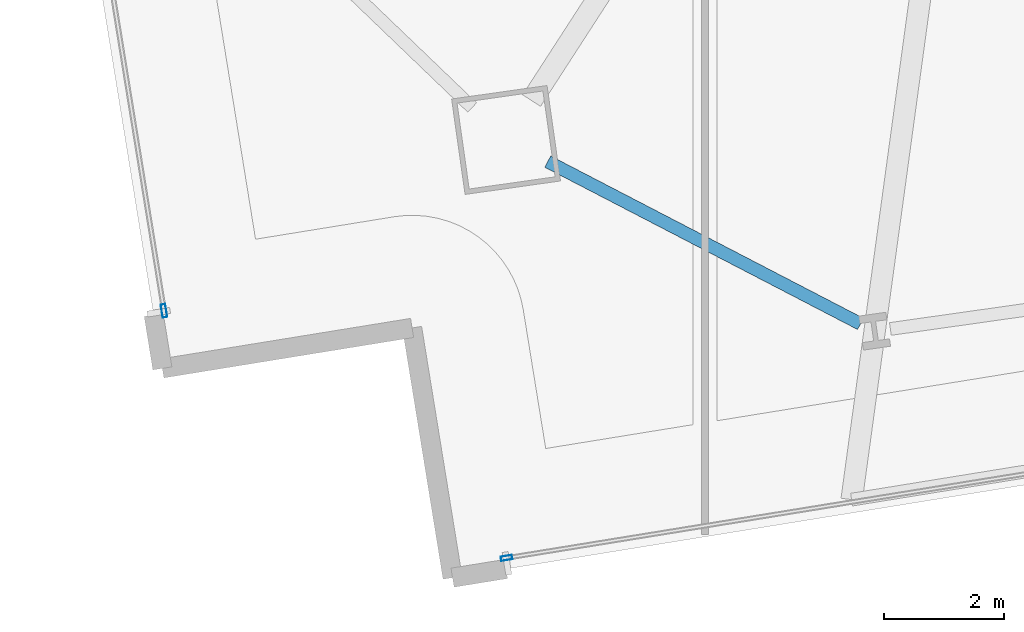
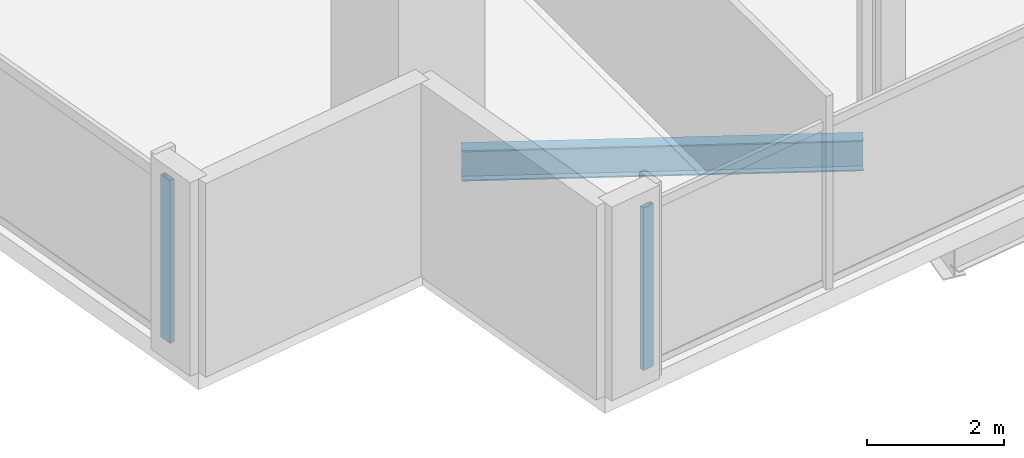
# One storey, part 2 of 33: 2 members, 1 beam, 2 elements without a shape of their own.
"""IFC4 building model written with IfcOpenShell, lengths in metres."""

import ifcopenshell
import ifcopenshell.guid

model = None  # the IFC model being written
_history = None  # IfcOwnerHistory: only IFC2X3 demands one
_inside = {}  # id of a spatial element -> (the spatial element, [elements in it])
_under = {}  # id of a project, library or spatial element -> (it, [spatial elements below it])
_declared = {}  # id of a project -> (the project, [libraries it declares])
_typed = {}  # id of a type object -> (the type object, [elements of that type])
_made_of = {}  # id of a material, layer set ... -> (it, [elements and type objects made of it])


def new_model(schema):
    """Start an empty IFC model of exactly this schema.

    Asked for "IFC4X3", IfcOpenShell would pick the latest addendum, in which some entities
    have other attributes; the version numbers below select the first issue.
    IFC2X3 requires an IfcOwnerHistory on every rooted entity: one is made here for all.
    """
    global model, _history
    if schema == "IFC4X3":
        model = ifcopenshell.file(schema_version=(4, 3, 0, 0))
    else:
        model = ifcopenshell.file(schema=schema)
    _inside.clear()
    _under.clear()
    _declared.clear()
    _typed.clear()
    _made_of.clear()
    _history = None
    if model.schema == "IFC2X3":
        org = make("IfcOrganization", Name="unknown")
        user = make(
            "IfcPersonAndOrganization",
            ThePerson=make("IfcPerson", FamilyName="unknown"),
            TheOrganization=org,
        )
        app = make(
            "IfcApplication",
            ApplicationDeveloper=org,
            Version="unknown",
            ApplicationFullName="unknown",
            ApplicationIdentifier="unknown",
        )
        _history = make(
            "IfcOwnerHistory",
            OwningUser=user,
            OwningApplication=app,
            ChangeAction="ADDED",
            CreationDate=0,
        )
    return model


def make(cls, **values):
    """One entity of the class cls with the attributes given. An attribute that is None is left unset."""
    return model.create_entity(
        cls, **{name: value for name, value in values.items() if value is not None}
    )


def rooted(cls, **values):
    """An entity with a GlobalId (a new one), such as an element, a storey or a relation."""
    return make(cls, GlobalId=ifcopenshell.guid.new(), OwnerHistory=_history, **values)


def si_unit(unit_type, name, prefix=None):
    """IfcSIUnit, for example si_unit("LENGTHUNIT", "METRE", prefix="MILLI")."""
    return make("IfcSIUnit", UnitType=unit_type, Prefix=prefix, Name=name)


def assignment(units):
    """IfcUnitAssignment: the units of a project."""
    return None if units is None else make("IfcUnitAssignment", Units=units)


def point(xyz):
    """IfcCartesianPoint."""
    return None if xyz is None else make("IfcCartesianPoint", Coordinates=xyz)


def direction(xyz):
    """IfcDirection."""
    return None if xyz is None else make("IfcDirection", DirectionRatios=xyz)


def frame(location, z_axis=None, x_axis=None):
    """IfcAxis2Placement3D, a coordinate frame: its origin and axes. An axis left out is left unset."""
    return make(
        "IfcAxis2Placement3D",
        Location=point(location),
        Axis=direction(z_axis),
        RefDirection=direction(x_axis),
    )


def frame_2d(location, x_axis=None):
    """IfcAxis2Placement2D, a coordinate frame in the plane: its origin and x axis."""
    return make(
        "IfcAxis2Placement2D", Location=point(location), RefDirection=direction(x_axis)
    )


def origin():
    """The frame at (0, 0, 0) with its axes left unset."""
    return frame((0.0, 0.0, 0.0))


def origin_2d():
    """The frame at (0, 0) in the plane with its x axis left unset."""
    return frame_2d((0.0, 0.0))


def place(relative_to, where):
    """IfcLocalPlacement: puts the frame where relative to a parent placement (None: the world)."""
    return make(
        "IfcLocalPlacement", PlacementRelTo=relative_to, RelativePlacement=where
    )


def context(
    kind, dimensions, precision=None, world=None, true_north=None, identifier=None
):
    """IfcGeometricRepresentationContext, for example the 3D "Model" context."""
    return make(
        "IfcGeometricRepresentationContext",
        ContextIdentifier=identifier,
        ContextType=kind,
        CoordinateSpaceDimension=dimensions,
        Precision=precision,
        WorldCoordinateSystem=world,
        TrueNorth=true_north,
    )


def subcontext(parent, identifier, kind, view, scale=None):
    """IfcGeometricRepresentationSubContext, for example "Body" below "Model"."""
    return make(
        "IfcGeometricRepresentationSubContext",
        ContextIdentifier=identifier,
        ContextType=kind,
        ParentContext=parent,
        TargetScale=scale,
        TargetView=view,
    )


def project(units=None, contexts=None):
    """IfcProject with its units and contexts."""
    return rooted(
        "IfcProject",
        Name="project",
        RepresentationContexts=contexts,
        UnitsInContext=assignment(units),
    )


def spatial(cls, under=None, at=None, **own):
    """A site, building, storey or space (cls), placed at a placement, below another one or the project."""
    s = rooted(cls, ObjectPlacement=at, **own)
    if under is not None:
        _under.setdefault(under.id(), (under, []))[1].append(s)
    return s


def profile(cls, at=None, kind="AREA", **sizes):
    """A parametric profile (cls). Its sizes go by their IFC names, for example OverallWidth=200.0."""
    return make(cls, ProfileType=kind, Position=at, **sizes)


def hollow_rectangle(**sizes):
    """IfcRectangleHollowProfileDef."""
    return profile("IfcRectangleHollowProfileDef", **sizes)


def i_section(**sizes):
    """IfcIShapeProfileDef."""
    return profile("IfcIShapeProfileDef", **sizes)


def extrude(swept, where, along, depth):
    """IfcExtrudedAreaSolid: the profile swept, set in the frame where, extruded along a direction by depth."""
    return make(
        "IfcExtrudedAreaSolid",
        SweptArea=swept,
        Position=where,
        ExtrudedDirection=direction(along),
        Depth=depth,
    )


def shape(context_of_items, identifier, shape_type, items):
    """IfcShapeRepresentation: the items that make up one representation, for example the "Body"."""
    return make(
        "IfcShapeRepresentation",
        ContextOfItems=context_of_items,
        RepresentationIdentifier=identifier,
        RepresentationType=shape_type,
        Items=items,
    )


def material(Name=None, Category=None):
    """IfcMaterial."""
    return make("IfcMaterial", Name=Name, Category=Category)


def material_profile(
    of_material, cross_section, Name=None, Category=None, Priority=None
):
    """IfcMaterialProfile: a cross section and its material."""
    return make(
        "IfcMaterialProfile",
        Name=Name,
        Material=of_material,
        Profile=cross_section,
        Priority=Priority,
        Category=Category,
    )


def profile_set(profiles, Name=None, composite=None):
    """IfcMaterialProfileSet."""
    return make(
        "IfcMaterialProfileSet",
        Name=Name,
        MaterialProfiles=profiles,
        CompositeProfile=composite,
    )


def made_of(thing, what):
    """Note that an element or type object is made of a material, layer set ...; save() writes the relation."""
    if what is not None:
        _made_of.setdefault(what.id(), (what, []))[1].append(thing)
    return thing


def type_object(cls, material=None, **own):
    """A type object (cls), such as IfcWallType, which elements share."""
    return made_of(rooted(cls, **own), material)


def element(
    cls,
    number,
    at=None,
    inside=None,
    cuts=None,
    type_object=None,
    material=None,
    context=None,
    identifier="Body",
    shape_type=None,
    held_by="IfcProductDefinitionShape",
    body=None,
    shapes=None,
    **own,
):
    """One element of the class cls, such as IfcWall. Its Tag is "e" and its number.

    at: its placement. inside: the storey or other place that contains it. cuts: it is an
    opening in that element (IfcRelVoidsElement). A single representation is given by context,
    identifier, shape_type and body (its items); several are given by shapes. held_by: the class
    of the entity that holds the representations. save() writes the other relations.
    """
    e = rooted(cls, Tag="e%d" % number, ObjectPlacement=at, **own)
    if body is not None:
        shapes = [shape(context, identifier, shape_type, body)]
    if shapes is not None:
        e.Representation = make(held_by, Representations=shapes)
    if inside is not None:
        _inside.setdefault(inside.id(), (inside, []))[1].append(e)
    if cuts is not None:
        rooted(
            "IfcRelVoidsElement", RelatingBuildingElement=cuts, RelatedOpeningElement=e
        )
    if type_object is not None:
        _typed.setdefault(type_object.id(), (type_object, []))[1].append(e)
    return made_of(e, material)


def aggregate(whole, parts):
    """IfcRelAggregates: a whole, such as a stair, and the parts it consists of."""
    return rooted("IfcRelAggregates", RelatingObject=whole, RelatedObjects=parts)


def save(model, path):
    """Write the relations noted so far, then the file.

    IfcRelAggregates (storeys below a building ...), IfcRelContainedInSpatialStructure (elements
    in a storey), IfcRelDefinesByType, IfcRelAssociatesMaterial and IfcRelDeclares: one each for
    every whole, place, type object, material and project.
    """
    for whole, parts in _under.values():
        aggregate(whole, parts)
    for where, things in _inside.values():
        rooted(
            "IfcRelContainedInSpatialStructure",
            RelatedElements=things,
            RelatingStructure=where,
        )
    for kind, things in _typed.values():
        rooted("IfcRelDefinesByType", RelatedObjects=things, RelatingType=kind)
    for what, things in _made_of.values():
        rooted("IfcRelAssociatesMaterial", RelatedObjects=things, RelatingMaterial=what)
    for by, libraries in _declared.values():
        rooted("IfcRelDeclares", RelatingContext=by, RelatedDefinitions=libraries)
    model.write(path)


model = new_model("IFC4")

# Units and contexts
model_context = context("Model", 3, precision=1e-05, world=origin(), true_north=direction((0.0, 1.0)))
body_context = subcontext(model_context, "Body", "Model", "MODEL_VIEW")
ifc_project = project(units=[si_unit("LENGTHUNIT", "METRE"), si_unit("AREAUNIT", "SQUARE_METRE"), si_unit("VOLUMEUNIT", "CUBIC_METRE"), si_unit("PLANEANGLEUNIT", "RADIAN"), si_unit("MASSUNIT", "GRAM", prefix="KILO")], contexts=[model_context])

# Site, building, storey
site_placement = place(None, origin())
site = spatial("IfcSite", under=ifc_project, at=site_placement, CompositionType="ELEMENT")
building_placement = place(site_placement, origin())
building = spatial("IfcBuilding", under=site, at=building_placement, Name="Haldenkirk Collegiate Tower", CompositionType="ELEMENT")
storey_placement = place(building_placement, frame((0.0, 0.0, 58.949951171875)))
storey = spatial("IfcBuildingStorey", under=building, at=storey_placement, Name="L13", CompositionType="ELEMENT", Elevation=58.949951171875)

# Beam
ifc_material_1 = material(Name="Steel ASTM A992 Grade 50", Category="steel")
ifc_material_profile_1 = material_profile(ifc_material_1, i_section(OverallWidth=0.2119140625, OverallDepth=0.5439453125, WebThickness=0.01318359375, FlangeThickness=0.021240234375, at=origin_2d()), Name="W21X83")
ifc_profile_set_1 = profile_set([ifc_material_profile_1], Name="Steel ASTM A992 Grade 50")
beam_type = type_object("IfcBeamType", Name="BM-SPANDREL-W21X83", PredefinedType="SPANDREL", material=ifc_profile_set_1)
beam_placement = place(storey_placement, frame((19.388671875, 4.8125, -0.58203125), z_axis=(0.887640153988, -0.460537682528, 0.0), x_axis=(0.460537682528, 0.887640153988, 0.0)))
element("IfcBeam", 1, at=beam_placement, inside=storey, type_object=beam_type, Name="L13 perimeter spandrel beam 01", PredefinedType="SPANDREL", context=body_context, shape_type="SweptSolid", body=[
    extrude(i_section(OverallWidth=0.2119140625, OverallDepth=0.5439453125, WebThickness=0.01318359375, FlangeThickness=0.021240234375, at=origin_2d()), origin(), (0.0, 0.0, 1.0), 5.848876953125),
])

# Curtain wall, member
ifc_material_2 = material(Name="Anodised architectural bronze aluminium", Category="aluminium")
curtain_wall_type_1 = type_object("IfcCurtainWallType", Name="CW-SYS2-CONCAVE", PredefinedType="USERDEFINED", material=ifc_material_2)
curtain_wall_1_placement = place(storey_placement, origin())
curtain_wall_1 = element("IfcCurtainWall", 2, at=curtain_wall_1_placement, inside=storey, type_object=curtain_wall_type_1, Name="L13 South concave recessed bronze-anodised curtain wall", ObjectType="UNITISED CURTAIN WALL", PredefinedType="USERDEFINED")
ifc_material_profile_2 = material_profile(ifc_material_2, hollow_rectangle(XDim=0.074951171875, YDim=0.18994140625, WallThickness=0.0048828125, at=origin_2d()), Name="CW-MUL-02")
ifc_profile_set_2 = profile_set([ifc_material_profile_2], Name="Anodised architectural bronze aluminium")
member_type_1 = type_object("IfcMemberType", Name="CW-MUL-02", PredefinedType="MULLION", material=ifc_profile_set_2)
member_1_placement = place(storey_placement, frame((18.704345703125, -1.767333984375, 0.0), z_axis=(0.0, 0.0, 1.0), x_axis=(0.159881193222, -0.987136264177, 0.0)))
member_1 = element("IfcMember", 3, at=member_1_placement, type_object=member_type_1, Name="CW-02 mullion 5", PredefinedType="MULLION", context=body_context, shape_type="SweptSolid", body=[
    extrude(hollow_rectangle(XDim=0.074951171875, YDim=0.18994140625, WallThickness=0.0048828125, at=origin_2d()), origin(), (0.0, 0.0, 1.0), 2.89111328125),
])
aggregate(curtain_wall_1, [member_1])

curtain_wall_type_2 = type_object("IfcCurtainWallType", Name="CW-SYS1-CONVEX-LOW", PredefinedType="USERDEFINED", material=ifc_material_2)
curtain_wall_2_placement = place(storey_placement, origin())
curtain_wall_2 = element("IfcCurtainWall", 4, at=curtain_wall_2_placement, inside=storey, type_object=curtain_wall_type_2, Name="L13 Lower tower convex bronze-framed unitised curtain wall", ObjectType="UNITISED CURTAIN WALL", PredefinedType="USERDEFINED")
ifc_material_profile_3 = material_profile(ifc_material_2, hollow_rectangle(XDim=0.080078125, YDim=0.219970703125, WallThickness=0.0048828125, at=origin_2d()), Name="CW-MUL-1A")
ifc_profile_set_3 = profile_set([ifc_material_profile_3], Name="Anodised architectural bronze aluminium")
member_type_2 = type_object("IfcMemberType", Name="CW-MUL-1A", PredefinedType="MULLION", material=ifc_profile_set_3)
member_2_placement = place(storey_placement, frame((13.017822265625, 2.336181640625, 0.0), z_axis=(0.0, 0.0, 1.0), x_axis=(-0.987136314905, -0.15988088002, 0.0)))
member_2 = element("IfcMember", 5, at=member_2_placement, type_object=member_type_2, Name="CW-1A mullion 1", PredefinedType="MULLION", context=body_context, shape_type="SweptSolid", body=[
    extrude(hollow_rectangle(XDim=0.080078125, YDim=0.219970703125, WallThickness=0.0048828125, at=origin_2d()), origin(), (0.0, 0.0, 1.0), 2.89111328125),
])
aggregate(curtain_wall_2, [member_2])

save(model, "model.ifc")
